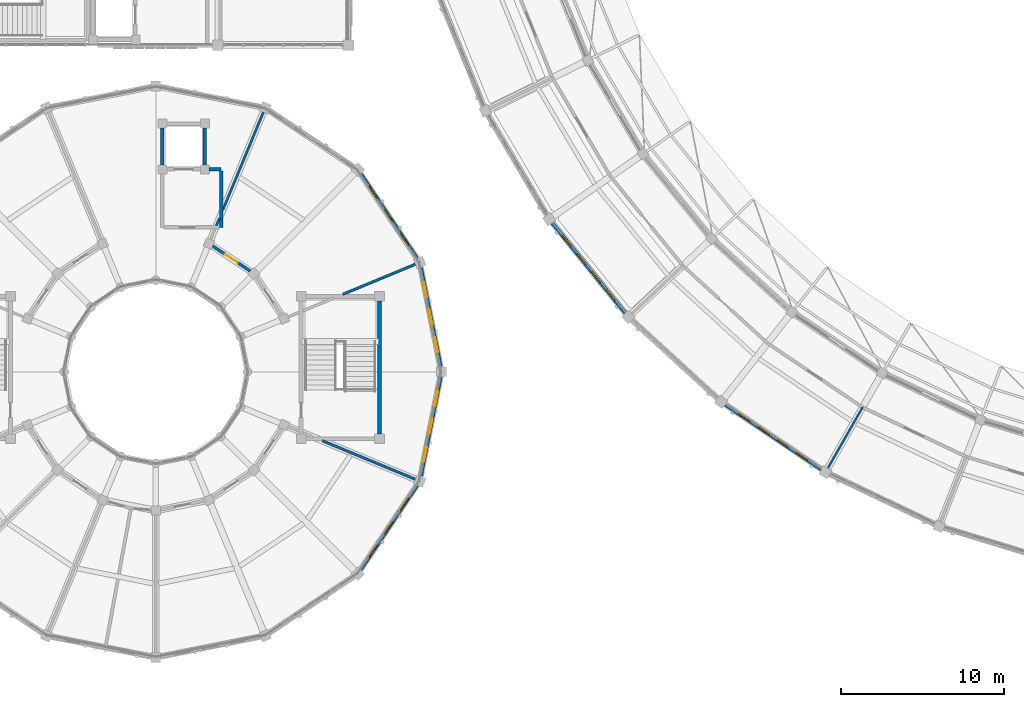
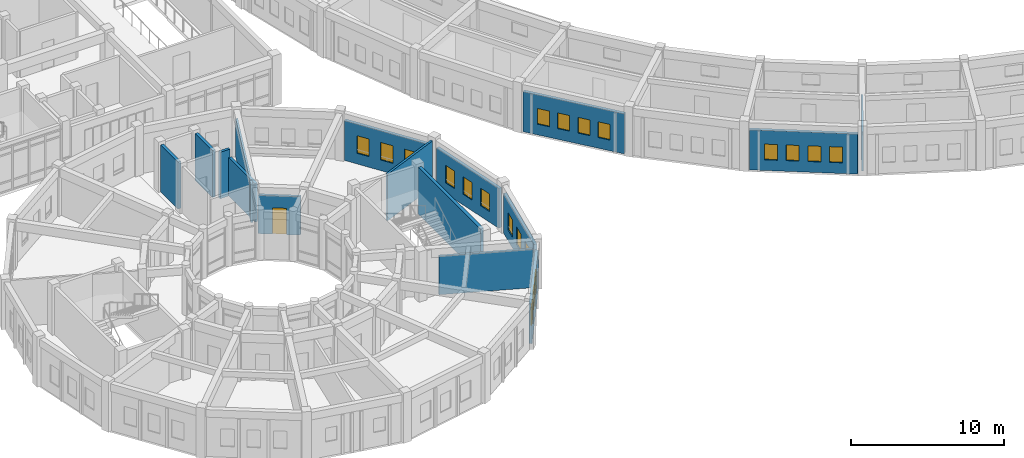
# One storey, part 75 of 112: 20 windows, 17 walls, 1 door, 21 openings.
"""IFC4 building model written with IfcOpenShell, lengths in metres."""

from ifc_helpers import new_model, si_unit, direction, frame, frame_2d, origin, place, context, subcontext, project, spatial, rectangle, extrude, material, layer, layer_set, type_object, element, fill, save


model = new_model("IFC4")

# Units and contexts
model_context = context("Model", 3, precision=1e-05, world=origin(), true_north=direction((0.0, 1.0)))
body_context = subcontext(model_context, "Body", "Model", "MODEL_VIEW")
ifc_project = project(units=[si_unit("LENGTHUNIT", "METRE"), si_unit("AREAUNIT", "SQUARE_METRE"), si_unit("VOLUMEUNIT", "CUBIC_METRE"), si_unit("PLANEANGLEUNIT", "RADIAN"), si_unit("MASSUNIT", "GRAM", prefix="KILO")], contexts=[model_context])

# Site, building, storey
site_placement = place(None, origin())
site = spatial("IfcSite", under=ifc_project, at=site_placement, CompositionType="ELEMENT")
building_placement = place(site_placement, origin())
building = spatial("IfcBuilding", under=site, at=building_placement, Name="Celadon Cloister-Ring School", CompositionType="ELEMENT")
storey_placement = place(building_placement, frame((0.0, 0.0, 8.5)))
storey = spatial("IfcBuildingStorey", under=building, at=storey_placement, Name="L02", CompositionType="ELEMENT", Elevation=8.5)

# Wall, openings, windows
ifc_material_1 = material(Name="Perforated terracotta clay brick masonry", Category="masonry")
ifc_layer_1 = layer(ifc_material_1, 0.219970703125)
ifc_layer_set_1 = layer_set([ifc_layer_1], Name="Perforated terracotta clay brick masonry")
wall_type_1 = type_object("IfcWallType", Name="WT-EX4", PredefinedType="SOLIDWALL", material=ifc_layer_set_1)
wall_1_placement = place(storey_placement, frame((48.94189453125, 23.597900390625, 0.0), z_axis=(0.0, 0.0, 1.0), x_axis=(-0.629593904529, 0.776924394893, 0.0)))
wall_1 = element("IfcWall", 1, at=wall_1_placement, inside=storey, type_object=wall_type_1, Name="Exterior Wall 0124", PredefinedType="SOLIDWALL", context=body_context, shape_type="SweptSolid", body=[
    extrude(rectangle(XDim=7.080810546875, YDim=0.219970703125, at=frame_2d((3.54052734375, 0.0))), origin(), (0.0, 0.0, 1.0), 3.19189453125),
])
opening_1_placement = place(wall_1_placement, frame((0.990966796875, 0.0, 0.85009765625)))
opening_1 = element("IfcOpeningElement", 2, at=opening_1_placement, cuts=wall_1, Name="Opening WN-11", PredefinedType="OPENING", context=body_context, shape_type="SweptSolid", body=[
    extrude(rectangle(XDim=0.85009765625, YDim=1.25, at=frame_2d((0.425048828125, 0.625))), frame((0.0, 0.1201171875, 0.0), z_axis=(0.0, -1.0, 0.0), x_axis=(1.0, 0.0, 0.0)), (0.0, 0.0, 1.0), 0.239990234375),
])
opening_2_placement = place(wall_1_placement, frame((2.406982421875, 0.0, 0.85009765625)))
opening_2 = element("IfcOpeningElement", 3, at=opening_2_placement, cuts=wall_1, Name="Opening WN-11", PredefinedType="OPENING", context=body_context, shape_type="SweptSolid", body=[
    extrude(rectangle(XDim=0.85009765625, YDim=1.25, at=frame_2d((0.425048828125, 0.625))), frame((0.0, 0.1201171875, 0.0), z_axis=(0.0, -1.0, 0.0), x_axis=(1.0, 0.0, 0.0)), (0.0, 0.0, 1.0), 0.239990234375),
])
opening_3_placement = place(wall_1_placement, frame((3.822998046875, 0.0, 0.85009765625)))
opening_3 = element("IfcOpeningElement", 4, at=opening_3_placement, cuts=wall_1, Name="Opening WN-11", PredefinedType="OPENING", context=body_context, shape_type="SweptSolid", body=[
    extrude(rectangle(XDim=0.85009765625, YDim=1.25, at=frame_2d((0.425048828125, 0.625))), frame((0.0, 0.1201171875, 0.0), z_axis=(0.0, -1.0, 0.0), x_axis=(1.0, 0.0, 0.0)), (0.0, 0.0, 1.0), 0.239990234375),
])
opening_4_placement = place(wall_1_placement, frame((5.239013671875, 0.0, 0.85009765625)))
opening_4 = element("IfcOpeningElement", 5, at=opening_4_placement, cuts=wall_1, Name="Opening WN-11", PredefinedType="OPENING", context=body_context, shape_type="SweptSolid", body=[
    extrude(rectangle(XDim=0.85009765625, YDim=1.25, at=frame_2d((0.425048828125, 0.625))), frame((0.0, 0.1201171875, 0.0), z_axis=(0.0, -1.0, 0.0), x_axis=(1.0, 0.0, 0.0)), (0.0, 0.0, 1.0), 0.239990234375),
])
ifc_material_2 = material(Name="Tempered laminated insulating glass", Category="glass")
window_type_1 = type_object("IfcWindowType", Name="WN-11", PartitioningType="SINGLE_PANEL", PredefinedType="WINDOW", material=ifc_material_2)
window_1_placement = place(opening_1_placement, origin())
window_1 = element("IfcWindow", 6, at=window_1_placement, inside=storey, type_object=window_type_1, Name="Window 0326", OverallHeight=1.25, OverallWidth=0.85009765625, PartitioningType="SINGLE_PANEL", PredefinedType="WINDOW", context=body_context, shape_type="SweptSolid", body=[
    extrude(rectangle(XDim=0.85009765625, YDim=1.25, at=frame_2d((0.425048828125, 0.625))), frame((0.0, 0.030029296875, 0.0), z_axis=(0.0, -1.0, 0.0), x_axis=(1.0, 0.0, 0.0)), (0.0, 0.0, 1.0), 0.06005859375),
])
fill(opening_1, window_1)
window_2_placement = place(opening_2_placement, origin())
window_2 = element("IfcWindow", 7, at=window_2_placement, inside=storey, type_object=window_type_1, Name="Window 0327", OverallHeight=1.25, OverallWidth=0.85009765625, PartitioningType="SINGLE_PANEL", PredefinedType="WINDOW", context=body_context, shape_type="SweptSolid", body=[
    extrude(rectangle(XDim=0.85009765625, YDim=1.25, at=frame_2d((0.425048828125, 0.625))), frame((0.0, 0.030029296875, 0.0), z_axis=(0.0, -1.0, 0.0), x_axis=(1.0, 0.0, 0.0)), (0.0, 0.0, 1.0), 0.06005859375),
])
fill(opening_2, window_2)
window_3_placement = place(opening_3_placement, origin())
window_3 = element("IfcWindow", 8, at=window_3_placement, inside=storey, type_object=window_type_1, Name="Window 0328", OverallHeight=1.25, OverallWidth=0.85009765625, PartitioningType="SINGLE_PANEL", PredefinedType="WINDOW", context=body_context, shape_type="SweptSolid", body=[
    extrude(rectangle(XDim=0.85009765625, YDim=1.25, at=frame_2d((0.425048828125, 0.625))), frame((0.0, 0.030029296875, 0.0), z_axis=(0.0, -1.0, 0.0), x_axis=(1.0, 0.0, 0.0)), (0.0, 0.0, 1.0), 0.06005859375),
])
fill(opening_3, window_3)
window_4_placement = place(opening_4_placement, origin())
window_4 = element("IfcWindow", 9, at=window_4_placement, inside=storey, type_object=window_type_1, Name="Window 0329", OverallHeight=1.25, OverallWidth=0.85009765625, PartitioningType="SINGLE_PANEL", PredefinedType="WINDOW", context=body_context, shape_type="SweptSolid", body=[
    extrude(rectangle(XDim=0.85009765625, YDim=1.25, at=frame_2d((0.425048828125, 0.625))), frame((0.0, 0.030029296875, 0.0), z_axis=(0.0, -1.0, 0.0), x_axis=(1.0, 0.0, 0.0)), (0.0, 0.0, 1.0), 0.06005859375),
])
fill(opening_4, window_4)

wall_2_placement = place(storey_placement, frame((60.949951171875, 14.02099609375, 0.0), z_axis=(0.0, 0.0, 1.0), x_axis=(-0.829217797208, 0.558925616512, 0.0)))
wall_2 = element("IfcWall", 10, at=wall_2_placement, inside=storey, type_object=wall_type_1, Name="Exterior Wall 0128", PredefinedType="SOLIDWALL", context=body_context, shape_type="SweptSolid", body=[
    extrude(rectangle(XDim=7.08154296875, YDim=0.219970703125, at=frame_2d((3.540771484375, 0.0))), origin(), (0.0, 0.0, 1.0), 3.19189453125),
])
opening_5_placement = place(wall_2_placement, frame((0.990966796875, 0.0, 0.85009765625)))
opening_5 = element("IfcOpeningElement", 11, at=opening_5_placement, cuts=wall_2, Name="Opening WN-11", PredefinedType="OPENING", context=body_context, shape_type="SweptSolid", body=[
    extrude(rectangle(XDim=0.85009765625, YDim=1.25, at=frame_2d((0.425048828125, 0.625))), frame((0.0, 0.1201171875, 0.0), z_axis=(0.0, -1.0, 0.0), x_axis=(1.0, 0.0, 0.0)), (0.0, 0.0, 1.0), 0.239990234375),
])
opening_6_placement = place(wall_2_placement, frame((2.407958984375, 0.0, 0.85009765625)))
opening_6 = element("IfcOpeningElement", 12, at=opening_6_placement, cuts=wall_2, Name="Opening WN-11", PredefinedType="OPENING", context=body_context, shape_type="SweptSolid", body=[
    extrude(rectangle(XDim=0.85009765625, YDim=1.25, at=frame_2d((0.425048828125, 0.625))), frame((0.0, 0.1201171875, 0.0), z_axis=(0.0, -1.0, 0.0), x_axis=(1.0, 0.0, 0.0)), (0.0, 0.0, 1.0), 0.239990234375),
])
opening_7_placement = place(wall_2_placement, frame((3.823974609375, 0.0, 0.85009765625)))
opening_7 = element("IfcOpeningElement", 13, at=opening_7_placement, cuts=wall_2, Name="Opening WN-11", PredefinedType="OPENING", context=body_context, shape_type="SweptSolid", body=[
    extrude(rectangle(XDim=0.85009765625, YDim=1.25, at=frame_2d((0.425048828125, 0.625))), frame((0.0, 0.1201171875, 0.0), z_axis=(0.0, -1.0, 0.0), x_axis=(1.0, 0.0, 0.0)), (0.0, 0.0, 1.0), 0.239990234375),
])
opening_8_placement = place(wall_2_placement, frame((5.239990234375, 0.0, 0.85009765625)))
opening_8 = element("IfcOpeningElement", 14, at=opening_8_placement, cuts=wall_2, Name="Opening WN-11", PredefinedType="OPENING", context=body_context, shape_type="SweptSolid", body=[
    extrude(rectangle(XDim=0.85009765625, YDim=1.25, at=frame_2d((0.425048828125, 0.625))), frame((0.0, 0.1201171875, 0.0), z_axis=(0.0, -1.0, 0.0), x_axis=(1.0, 0.0, 0.0)), (0.0, 0.0, 1.0), 0.239990234375),
])
window_5_placement = place(opening_5_placement, origin())
window_5 = element("IfcWindow", 15, at=window_5_placement, inside=storey, type_object=window_type_1, Name="Window 0336", OverallHeight=1.25, OverallWidth=0.85009765625, PartitioningType="SINGLE_PANEL", PredefinedType="WINDOW", context=body_context, shape_type="SweptSolid", body=[
    extrude(rectangle(XDim=0.85009765625, YDim=1.25, at=frame_2d((0.425048828125, 0.625))), frame((0.0, 0.030029296875, 0.0), z_axis=(0.0, -1.0, 0.0), x_axis=(1.0, 0.0, 0.0)), (0.0, 0.0, 1.0), 0.06005859375),
])
fill(opening_5, window_5)
window_6_placement = place(opening_6_placement, origin())
window_6 = element("IfcWindow", 16, at=window_6_placement, inside=storey, type_object=window_type_1, Name="Window 0337", OverallHeight=1.25, OverallWidth=0.85009765625, PartitioningType="SINGLE_PANEL", PredefinedType="WINDOW", context=body_context, shape_type="SweptSolid", body=[
    extrude(rectangle(XDim=0.85009765625, YDim=1.25, at=frame_2d((0.425048828125, 0.625))), frame((0.0, 0.030029296875, 0.0), z_axis=(0.0, -1.0, 0.0), x_axis=(1.0, 0.0, 0.0)), (0.0, 0.0, 1.0), 0.06005859375),
])
fill(opening_6, window_6)
window_7_placement = place(opening_7_placement, origin())
window_7 = element("IfcWindow", 17, at=window_7_placement, inside=storey, type_object=window_type_1, Name="Window 0338", OverallHeight=1.25, OverallWidth=0.85009765625, PartitioningType="SINGLE_PANEL", PredefinedType="WINDOW", context=body_context, shape_type="SweptSolid", body=[
    extrude(rectangle(XDim=0.85009765625, YDim=1.25, at=frame_2d((0.425048828125, 0.625))), frame((0.0, 0.030029296875, 0.0), z_axis=(0.0, -1.0, 0.0), x_axis=(1.0, 0.0, 0.0)), (0.0, 0.0, 1.0), 0.06005859375),
])
fill(opening_7, window_7)
window_8_placement = place(opening_8_placement, origin())
window_8 = element("IfcWindow", 18, at=window_8_placement, inside=storey, type_object=window_type_1, Name="Window 0339", OverallHeight=1.25, OverallWidth=0.85009765625, PartitioningType="SINGLE_PANEL", PredefinedType="WINDOW", context=body_context, shape_type="SweptSolid", body=[
    extrude(rectangle(XDim=0.85009765625, YDim=1.25, at=frame_2d((0.425048828125, 0.625))), frame((0.0, 0.030029296875, 0.0), z_axis=(0.0, -1.0, 0.0), x_axis=(1.0, 0.0, 0.0)), (0.0, 0.0, 1.0), 0.06005859375),
])
fill(opening_8, window_8)

wall_3_placement = place(storey_placement, frame((36.431884765625, 26.3740234375, 0.0), z_axis=(0.0, 0.0, 1.0), x_axis=(0.195164813773, -0.980770460131, 0.0)))
wall_3 = element("IfcWall", 19, at=wall_3_placement, inside=storey, type_object=wall_type_1, Name="Exterior Wall 0331", PredefinedType="SOLIDWALL", context=body_context, shape_type="SweptSolid", body=[
    extrude(rectangle(XDim=6.169677734375, YDim=0.219970703125, at=frame_2d((3.0849609375, 0.0))), origin(), (0.0, 0.0, 1.0), 3.172119140625),
])
opening_9_placement = place(wall_3_placement, frame((0.906982421875, 0.0, 0.85009765625)))
opening_9 = element("IfcOpeningElement", 20, at=opening_9_placement, cuts=wall_3, Name="Opening WN-21", PredefinedType="OPENING", context=body_context, shape_type="SweptSolid", body=[
    extrude(rectangle(XDim=0.89990234375, YDim=1.39990234375, at=frame_2d((0.449951171875, 0.699951171875))), frame((0.0, 0.1201171875, 0.0), z_axis=(0.0, -1.0, 0.0), x_axis=(1.0, 0.0, 0.0)), (0.0, 0.0, 1.0), 0.239990234375),
])
opening_10_placement = place(wall_3_placement, frame((2.635009765625, 0.0, 0.85009765625)))
opening_10 = element("IfcOpeningElement", 21, at=opening_10_placement, cuts=wall_3, Name="Opening WN-21", PredefinedType="OPENING", context=body_context, shape_type="SweptSolid", body=[
    extrude(rectangle(XDim=0.89990234375, YDim=1.39990234375, at=frame_2d((0.449951171875, 0.699951171875))), frame((0.0, 0.1201171875, 0.0), z_axis=(0.0, -1.0, 0.0), x_axis=(1.0, 0.0, 0.0)), (0.0, 0.0, 1.0), 0.239990234375),
])
opening_11_placement = place(wall_3_placement, frame((4.362060546875, 0.0, 0.85009765625)))
opening_11 = element("IfcOpeningElement", 22, at=opening_11_placement, cuts=wall_3, Name="Opening WN-21", PredefinedType="OPENING", context=body_context, shape_type="SweptSolid", body=[
    extrude(rectangle(XDim=0.89990234375, YDim=1.39990234375, at=frame_2d((0.449951171875, 0.699951171875))), frame((0.0, 0.1201171875, 0.0), z_axis=(0.0, -1.0, 0.0), x_axis=(1.0, 0.0, 0.0)), (0.0, 0.0, 1.0), 0.239990234375),
])
ifc_material_3 = material(Name="Tempered laminated insulating glass", Category="glass")
window_type_2 = type_object("IfcWindowType", Name="WN-21", PartitioningType="SINGLE_PANEL", PredefinedType="WINDOW", material=ifc_material_3)
window_9_placement = place(opening_9_placement, origin())
window_9 = element("IfcWindow", 23, at=window_9_placement, inside=storey, type_object=window_type_2, Name="Window 0851", OverallHeight=1.39990234375, OverallWidth=0.89990234375, PartitioningType="SINGLE_PANEL", PredefinedType="WINDOW", context=body_context, shape_type="SweptSolid", body=[
    extrude(rectangle(XDim=0.89990234375, YDim=1.39990234375, at=frame_2d((0.449951171875, 0.699951171875))), frame((0.0, 0.030029296875, 0.0), z_axis=(0.0, -1.0, 0.0), x_axis=(1.0, 0.0, 0.0)), (0.0, 0.0, 1.0), 0.06005859375),
])
fill(opening_9, window_9)
window_10_placement = place(opening_10_placement, origin())
window_10 = element("IfcWindow", 24, at=window_10_placement, inside=storey, type_object=window_type_2, Name="Window 0852", OverallHeight=1.39990234375, OverallWidth=0.89990234375, PartitioningType="SINGLE_PANEL", PredefinedType="WINDOW", context=body_context, shape_type="SweptSolid", body=[
    extrude(rectangle(XDim=0.89990234375, YDim=1.39990234375, at=frame_2d((0.449951171875, 0.699951171875))), frame((0.0, 0.030029296875, 0.0), z_axis=(0.0, -1.0, 0.0), x_axis=(1.0, 0.0, 0.0)), (0.0, 0.0, 1.0), 0.06005859375),
])
fill(opening_10, window_10)
window_11_placement = place(opening_11_placement, origin())
window_11 = element("IfcWindow", 25, at=window_11_placement, inside=storey, type_object=window_type_2, Name="Window 0853", OverallHeight=1.39990234375, OverallWidth=0.89990234375, PartitioningType="SINGLE_PANEL", PredefinedType="WINDOW", context=body_context, shape_type="SweptSolid", body=[
    extrude(rectangle(XDim=0.89990234375, YDim=1.39990234375, at=frame_2d((0.449951171875, 0.699951171875))), frame((0.0, 0.030029296875, 0.0), z_axis=(0.0, -1.0, 0.0), x_axis=(1.0, 0.0, 0.0)), (0.0, 0.0, 1.0), 0.06005859375),
])
fill(opening_11, window_11)

wall_4_placement = place(storey_placement, frame((32.757080078125, 32.10009765625, 0.0), z_axis=(0.0, 0.0, 1.0), x_axis=(0.555658736667, -0.831410469242, 0.0)))
wall_4 = element("IfcWall", 26, at=wall_4_placement, inside=storey, type_object=wall_type_1, Name="Exterior Wall 0332", PredefinedType="SOLIDWALL", context=body_context, shape_type="SweptSolid", body=[
    extrude(rectangle(XDim=6.169189453125, YDim=0.219970703125, at=frame_2d((3.08447265625, 0.0))), origin(), (0.0, 0.0, 1.0), 3.172119140625),
])
opening_12_placement = place(wall_4_placement, frame((0.906982421875, 0.0, 0.85009765625)))
opening_12 = element("IfcOpeningElement", 27, at=opening_12_placement, cuts=wall_4, Name="Opening WN-21", PredefinedType="OPENING", context=body_context, shape_type="SweptSolid", body=[
    extrude(rectangle(XDim=0.89990234375, YDim=1.39990234375, at=frame_2d((0.449951171875, 0.699951171875))), frame((0.0, 0.1201171875, 0.0), z_axis=(0.0, -1.0, 0.0), x_axis=(1.0, 0.0, 0.0)), (0.0, 0.0, 1.0), 0.239990234375),
])
opening_13_placement = place(wall_4_placement, frame((2.635009765625, 0.0, 0.85009765625)))
opening_13 = element("IfcOpeningElement", 28, at=opening_13_placement, cuts=wall_4, Name="Opening WN-21", PredefinedType="OPENING", context=body_context, shape_type="SweptSolid", body=[
    extrude(rectangle(XDim=0.89990234375, YDim=1.39990234375, at=frame_2d((0.449951171875, 0.699951171875))), frame((0.0, 0.1201171875, 0.0), z_axis=(0.0, -1.0, 0.0), x_axis=(1.0, 0.0, 0.0)), (0.0, 0.0, 1.0), 0.239990234375),
])
opening_14_placement = place(wall_4_placement, frame((4.362060546875, 0.0, 0.85009765625)))
opening_14 = element("IfcOpeningElement", 29, at=opening_14_placement, cuts=wall_4, Name="Opening WN-21", PredefinedType="OPENING", context=body_context, shape_type="SweptSolid", body=[
    extrude(rectangle(XDim=0.89990234375, YDim=1.39990234375, at=frame_2d((0.449951171875, 0.699951171875))), frame((0.0, 0.1201171875, 0.0), z_axis=(0.0, -1.0, 0.0), x_axis=(1.0, 0.0, 0.0)), (0.0, 0.0, 1.0), 0.239990234375),
])
window_12_placement = place(opening_12_placement, origin())
window_12 = element("IfcWindow", 30, at=window_12_placement, inside=storey, type_object=window_type_2, Name="Window 0854", OverallHeight=1.39990234375, OverallWidth=0.89990234375, PartitioningType="SINGLE_PANEL", PredefinedType="WINDOW", context=body_context, shape_type="SweptSolid", body=[
    extrude(rectangle(XDim=0.89990234375, YDim=1.39990234375, at=frame_2d((0.449951171875, 0.699951171875))), frame((0.0, 0.030029296875, 0.0), z_axis=(0.0, -1.0, 0.0), x_axis=(1.0, 0.0, 0.0)), (0.0, 0.0, 1.0), 0.06005859375),
])
fill(opening_12, window_12)
window_13_placement = place(opening_13_placement, origin())
window_13 = element("IfcWindow", 31, at=window_13_placement, inside=storey, type_object=window_type_2, Name="Window 0855", OverallHeight=1.39990234375, OverallWidth=0.89990234375, PartitioningType="SINGLE_PANEL", PredefinedType="WINDOW", context=body_context, shape_type="SweptSolid", body=[
    extrude(rectangle(XDim=0.89990234375, YDim=1.39990234375, at=frame_2d((0.449951171875, 0.699951171875))), frame((0.0, 0.030029296875, 0.0), z_axis=(0.0, -1.0, 0.0), x_axis=(1.0, 0.0, 0.0)), (0.0, 0.0, 1.0), 0.06005859375),
])
fill(opening_13, window_13)
window_14_placement = place(opening_14_placement, origin())
window_14 = element("IfcWindow", 32, at=window_14_placement, inside=storey, type_object=window_type_2, Name="Window 0856", OverallHeight=1.39990234375, OverallWidth=0.89990234375, PartitioningType="SINGLE_PANEL", PredefinedType="WINDOW", context=body_context, shape_type="SweptSolid", body=[
    extrude(rectangle(XDim=0.89990234375, YDim=1.39990234375, at=frame_2d((0.449951171875, 0.699951171875))), frame((0.0, 0.030029296875, 0.0), z_axis=(0.0, -1.0, 0.0), x_axis=(1.0, 0.0, 0.0)), (0.0, 0.0, 1.0), 0.06005859375),
])
fill(opening_14, window_14)

wall_5_placement = place(storey_placement, frame((36.18505859375, 13.029052734375, 0.0), z_axis=(0.0, 0.0, 1.0), x_axis=(-0.555658736667, -0.831410469242, 0.0)))
wall_5 = element("IfcWall", 33, at=wall_5_placement, inside=storey, type_object=wall_type_1, Name="Exterior Wall 0348", PredefinedType="SOLIDWALL", context=body_context, shape_type="SweptSolid", body=[
    extrude(rectangle(XDim=6.169189453125, YDim=0.219970703125, at=frame_2d((3.08447265625, 0.0))), origin(), (0.0, 0.0, 1.0), 3.172119140625),
])
opening_15_placement = place(wall_5_placement, frame((0.906982421875, 0.0, 0.85009765625)))
opening_15 = element("IfcOpeningElement", 34, at=opening_15_placement, cuts=wall_5, Name="Opening WN-21", PredefinedType="OPENING", context=body_context, shape_type="SweptSolid", body=[
    extrude(rectangle(XDim=0.89990234375, YDim=1.39990234375, at=frame_2d((0.449951171875, 0.699951171875))), frame((0.0, 0.1201171875, 0.0), z_axis=(0.0, -1.0, 0.0), x_axis=(1.0, 0.0, 0.0)), (0.0, 0.0, 1.0), 0.239990234375),
])
opening_16_placement = place(wall_5_placement, frame((2.635009765625, 0.0, 0.85009765625)))
opening_16 = element("IfcOpeningElement", 35, at=opening_16_placement, cuts=wall_5, Name="Opening WN-21", PredefinedType="OPENING", context=body_context, shape_type="SweptSolid", body=[
    extrude(rectangle(XDim=0.89990234375, YDim=1.39990234375, at=frame_2d((0.449951171875, 0.699951171875))), frame((0.0, 0.1201171875, 0.0), z_axis=(0.0, -1.0, 0.0), x_axis=(1.0, 0.0, 0.0)), (0.0, 0.0, 1.0), 0.239990234375),
])
opening_17_placement = place(wall_5_placement, frame((4.362060546875, 0.0, 0.85009765625)))
opening_17 = element("IfcOpeningElement", 36, at=opening_17_placement, cuts=wall_5, Name="Opening WN-21", PredefinedType="OPENING", context=body_context, shape_type="SweptSolid", body=[
    extrude(rectangle(XDim=0.89990234375, YDim=1.39990234375, at=frame_2d((0.449951171875, 0.699951171875))), frame((0.0, 0.1201171875, 0.0), z_axis=(0.0, -1.0, 0.0), x_axis=(1.0, 0.0, 0.0)), (0.0, 0.0, 1.0), 0.239990234375),
])
window_15_placement = place(opening_15_placement, origin())
window_15 = element("IfcWindow", 37, at=window_15_placement, inside=storey, type_object=window_type_2, Name="Window 0892", OverallHeight=1.39990234375, OverallWidth=0.89990234375, PartitioningType="SINGLE_PANEL", PredefinedType="WINDOW", context=body_context, shape_type="SweptSolid", body=[
    extrude(rectangle(XDim=0.89990234375, YDim=1.39990234375, at=frame_2d((0.449951171875, 0.699951171875))), frame((0.0, 0.030029296875, 0.0), z_axis=(0.0, -1.0, 0.0), x_axis=(1.0, 0.0, 0.0)), (0.0, 0.0, 1.0), 0.06005859375),
])
fill(opening_15, window_15)
window_16_placement = place(opening_16_placement, origin())
window_16 = element("IfcWindow", 38, at=window_16_placement, inside=storey, type_object=window_type_2, Name="Window 0893", OverallHeight=1.39990234375, OverallWidth=0.89990234375, PartitioningType="SINGLE_PANEL", PredefinedType="WINDOW", context=body_context, shape_type="SweptSolid", body=[
    extrude(rectangle(XDim=0.89990234375, YDim=1.39990234375, at=frame_2d((0.449951171875, 0.699951171875))), frame((0.0, 0.030029296875, 0.0), z_axis=(0.0, -1.0, 0.0), x_axis=(1.0, 0.0, 0.0)), (0.0, 0.0, 1.0), 0.06005859375),
])
fill(opening_16, window_16)
window_17_placement = place(opening_17_placement, origin())
window_17 = element("IfcWindow", 39, at=window_17_placement, inside=storey, type_object=window_type_2, Name="Window 0894", OverallHeight=1.39990234375, OverallWidth=0.89990234375, PartitioningType="SINGLE_PANEL", PredefinedType="WINDOW", context=body_context, shape_type="SweptSolid", body=[
    extrude(rectangle(XDim=0.89990234375, YDim=1.39990234375, at=frame_2d((0.449951171875, 0.699951171875))), frame((0.0, 0.030029296875, 0.0), z_axis=(0.0, -1.0, 0.0), x_axis=(1.0, 0.0, 0.0)), (0.0, 0.0, 1.0), 0.06005859375),
])
fill(opening_17, window_17)

wall_6_placement = place(storey_placement, frame((37.635986328125, 19.677001953125, 0.0), z_axis=(0.0, 0.0, 1.0), x_axis=(-0.195164813773, -0.980770460131, 0.0)))
wall_6 = element("IfcWall", 40, at=wall_6_placement, inside=storey, type_object=wall_type_1, Name="Exterior Wall 0350", PredefinedType="SOLIDWALL", context=body_context, shape_type="SweptSolid", body=[
    extrude(rectangle(XDim=6.169677734375, YDim=0.219970703125, at=frame_2d((3.0849609375, 0.0))), origin(), (0.0, 0.0, 1.0), 3.172119140625),
])
opening_18_placement = place(wall_6_placement, frame((0.906982421875, 0.0, 0.85009765625)))
opening_18 = element("IfcOpeningElement", 41, at=opening_18_placement, cuts=wall_6, Name="Opening WN-21", PredefinedType="OPENING", context=body_context, shape_type="SweptSolid", body=[
    extrude(rectangle(XDim=0.89990234375, YDim=1.39990234375, at=frame_2d((0.449951171875, 0.699951171875))), frame((0.0, 0.1201171875, 0.0), z_axis=(0.0, -1.0, 0.0), x_axis=(1.0, 0.0, 0.0)), (0.0, 0.0, 1.0), 0.239990234375),
])
opening_19_placement = place(wall_6_placement, frame((2.635009765625, 0.0, 0.85009765625)))
opening_19 = element("IfcOpeningElement", 42, at=opening_19_placement, cuts=wall_6, Name="Opening WN-21", PredefinedType="OPENING", context=body_context, shape_type="SweptSolid", body=[
    extrude(rectangle(XDim=0.89990234375, YDim=1.39990234375, at=frame_2d((0.449951171875, 0.699951171875))), frame((0.0, 0.1201171875, 0.0), z_axis=(0.0, -1.0, 0.0), x_axis=(1.0, 0.0, 0.0)), (0.0, 0.0, 1.0), 0.239990234375),
])
opening_20_placement = place(wall_6_placement, frame((4.362060546875, 0.0, 0.85009765625)))
opening_20 = element("IfcOpeningElement", 43, at=opening_20_placement, cuts=wall_6, Name="Opening WN-21", PredefinedType="OPENING", context=body_context, shape_type="SweptSolid", body=[
    extrude(rectangle(XDim=0.89990234375, YDim=1.39990234375, at=frame_2d((0.449951171875, 0.699951171875))), frame((0.0, 0.1201171875, 0.0), z_axis=(0.0, -1.0, 0.0), x_axis=(1.0, 0.0, 0.0)), (0.0, 0.0, 1.0), 0.239990234375),
])
window_18_placement = place(opening_18_placement, origin())
window_18 = element("IfcWindow", 44, at=window_18_placement, inside=storey, type_object=window_type_2, Name="Window 0895", OverallHeight=1.39990234375, OverallWidth=0.89990234375, PartitioningType="SINGLE_PANEL", PredefinedType="WINDOW", context=body_context, shape_type="SweptSolid", body=[
    extrude(rectangle(XDim=0.89990234375, YDim=1.39990234375, at=frame_2d((0.449951171875, 0.699951171875))), frame((0.0, 0.030029296875, 0.0), z_axis=(0.0, -1.0, 0.0), x_axis=(1.0, 0.0, 0.0)), (0.0, 0.0, 1.0), 0.06005859375),
])
fill(opening_18, window_18)
window_19_placement = place(opening_19_placement, origin())
window_19 = element("IfcWindow", 45, at=window_19_placement, inside=storey, type_object=window_type_2, Name="Window 0896", OverallHeight=1.39990234375, OverallWidth=0.89990234375, PartitioningType="SINGLE_PANEL", PredefinedType="WINDOW", context=body_context, shape_type="SweptSolid", body=[
    extrude(rectangle(XDim=0.89990234375, YDim=1.39990234375, at=frame_2d((0.449951171875, 0.699951171875))), frame((0.0, 0.030029296875, 0.0), z_axis=(0.0, -1.0, 0.0), x_axis=(1.0, 0.0, 0.0)), (0.0, 0.0, 1.0), 0.06005859375),
])
fill(opening_19, window_19)
window_20_placement = place(opening_20_placement, origin())
window_20 = element("IfcWindow", 46, at=window_20_placement, inside=storey, type_object=window_type_2, Name="Window 0897", OverallHeight=1.39990234375, OverallWidth=0.89990234375, PartitioningType="SINGLE_PANEL", PredefinedType="WINDOW", context=body_context, shape_type="SweptSolid", body=[
    extrude(rectangle(XDim=0.89990234375, YDim=1.39990234375, at=frame_2d((0.449951171875, 0.699951171875))), frame((0.0, 0.030029296875, 0.0), z_axis=(0.0, -1.0, 0.0), x_axis=(1.0, 0.0, 0.0)), (0.0, 0.0, 1.0), 0.06005859375),
])
fill(opening_20, window_20)

# Walls
ifc_material_4 = material(Name="Plastered hollow concrete masonry", Category="masonry")
ifc_layer_2 = layer(ifc_material_4, 0.199951171875)
ifc_layer_set_2 = layer_set([ifc_layer_2], Name="Plastered hollow concrete masonry")
wall_type_2 = type_object("IfcWallType", Name="WT-PT1", PredefinedType="PARTITIONING", material=ifc_layer_set_2)
wall_7_placement = place(storey_placement, frame((23.467041015625, 32.39990234375, 0.0), z_axis=(0.0, 0.0, 1.0), x_axis=(1.0, 0.0, 0.0)))
element("IfcWall", 47, at=wall_7_placement, inside=storey, type_object=wall_type_2, Name="Interior Wall 0387", PredefinedType="PARTITIONING", context=body_context, shape_type="SweptSolid", body=[
    extrude(rectangle(XDim=0.73291015625, YDim=0.199951171875, at=frame_2d((0.366455078125, 0.0))), origin(), (0.0, 0.0, 1.0), 3.699951171875),
])
wall_8_placement = place(storey_placement, frame((24.199951171875, 28.85009765625, 0.0), z_axis=(0.0, 0.0, 1.0), x_axis=(0.0, 1.0, 0.0)))
element("IfcWall", 48, at=wall_8_placement, inside=storey, type_object=wall_type_2, Name="Interior Wall 0389", PredefinedType="PARTITIONING", context=body_context, shape_type="SweptSolid", body=[
    extrude(rectangle(XDim=3.447021484375, YDim=0.199951171875, at=frame_2d((1.7236328125, 0.0))), origin(), (0.0, 0.0, 1.0), 3.072021484375),
])

# Wall, opening, door
ifc_material_5 = material(Name="Plastered hollow concrete masonry", Category="masonry")
ifc_layer_3 = layer(ifc_material_5, 0.179931640625)
ifc_layer_set_3 = layer_set([ifc_layer_3], Name="Plastered hollow concrete masonry")
wall_type_3 = type_object("IfcWallType", Name="WT-PT2", PredefinedType="PARTITIONING", material=ifc_layer_set_3)
wall_9_placement = place(storey_placement, frame((25.98388671875, 26.160888671875, 0.0), z_axis=(0.0, 0.0, 1.0), x_axis=(-0.831318045056, 0.555797002478, 0.0)))
wall_9 = element("IfcWall", 49, at=wall_9_placement, inside=storey, type_object=wall_type_3, Name="Interior Wall 0837", PredefinedType="PARTITIONING", context=body_context, shape_type="SweptSolid", body=[
    extrude(rectangle(XDim=2.772705078125, YDim=0.179931640625, at=frame_2d((1.38623046875, 0.0))), origin(), (0.0, 0.0, 1.0), 3.072021484375),
])
opening_21_placement = place(wall_9_placement, frame((0.926025390625, 0.0, 0.0)))
opening_21 = element("IfcOpeningElement", 50, at=opening_21_placement, cuts=wall_9, Name="Opening D-0301", PredefinedType="OPENING", context=body_context, shape_type="SweptSolid", body=[
    extrude(rectangle(XDim=0.919921875, YDim=2.10009765625, at=frame_2d((0.4599609375, 1.050048828125))), frame((0.0, 0.10009765625, 0.0), z_axis=(0.0, -1.0, 0.0), x_axis=(1.0, 0.0, 0.0)), (0.0, 0.0, 1.0), 0.199951171875),
])
ifc_material_6 = material(Name="Solid-core fire-rated hardwood leaf", Category="wood")
door_type = type_object("IfcDoorType", Name="DT-02", OperationType="NOTDEFINED", PredefinedType="DOOR", material=ifc_material_6)
door_placement = place(opening_21_placement, origin())
door = element("IfcDoor", 51, at=door_placement, inside=storey, type_object=door_type, Name="Door D-0301", OperationType="SINGLE_SWING_LEFT", OverallHeight=2.10009765625, OverallWidth=0.919921875, PredefinedType="DOOR", context=body_context, shape_type="SweptSolid", body=[
    extrude(rectangle(XDim=0.919921875, YDim=2.10009765625, at=frame_2d((0.4599609375, 1.050048828125))), frame((0.0, 0.02490234375, 0.0), z_axis=(0.0, -1.0, 0.0), x_axis=(1.0, 0.0, 0.0)), (0.0, 0.0, 1.0), 0.050048828125),
])
fill(opening_21, door)

# Walls
ifc_material_7 = material(Name="Plastered hollow concrete masonry", Category="masonry")
ifc_layer_4 = layer(ifc_material_7, 0.159912109375)
ifc_layer_set_4 = layer_set([ifc_layer_4], Name="Plastered hollow concrete masonry")
wall_type_4 = type_object("IfcWallType", Name="WT-PT3", PredefinedType="PARTITIONING", material=ifc_layer_set_4)
wall_10_placement = place(storey_placement, frame((31.65087890625, 24.742919921875, 0.0), z_axis=(0.0, 0.0, 1.0), x_axis=(0.923877739946, 0.382687759972, 0.0)))
element("IfcWall", 52, at=wall_10_placement, inside=storey, type_object=wall_type_4, Name="Interior Wall 0818", PredefinedType="PARTITIONING", context=body_context, shape_type="SweptSolid", body=[
    extrude(rectangle(XDim=4.8134765625, YDim=0.159912109375, at=frame_2d((2.40673828125, 0.0))), origin(), (0.0, 0.0, 1.0), 3.699951171875),
])
wall_11_placement = place(storey_placement, frame((30.39599609375, 15.777099609375, 0.0), z_axis=(0.0, 0.0, 1.0), x_axis=(0.923864955254, -0.382718623082, 0.0)))
element("IfcWall", 53, at=wall_11_placement, inside=storey, type_object=wall_type_4, Name="Interior Wall 0834", PredefinedType="PARTITIONING", context=body_context, shape_type="SweptSolid", body=[
    extrude(rectangle(XDim=6.171875, YDim=0.159912109375, at=frame_2d((3.0859375, 0.0))), origin(), (0.0, 0.0, 1.0), 3.072021484375),
])
ifc_material_8 = material(Name="Acoustic mineral-wool drywall partition")
ifc_layer_5 = layer(ifc_material_8, 0.139892578125)
ifc_layer_set_5 = layer_set([ifc_layer_5], Name="Acoustic mineral-wool drywall partition")
wall_type_5 = type_object("IfcWallType", Name="WT-PT4", PredefinedType="PARTITIONING", material=ifc_layer_set_5)
wall_12_placement = place(storey_placement, frame((23.907958984375, 28.952880859375, 0.0), z_axis=(0.0, 0.0, 1.0), x_axis=(0.3827885685, 0.92383597669, 0.0)))
element("IfcWall", 54, at=wall_12_placement, inside=storey, type_object=wall_type_5, Name="Interior Wall 0820", PredefinedType="PARTITIONING", context=body_context, shape_type="SweptSolid", body=[
    extrude(rectangle(XDim=0.49365234375, YDim=0.139892578125, at=frame_2d((0.246826171875, 0.0))), origin(), (0.0, 0.0, 1.0), 3.072021484375),
])
wall_13_placement = place(storey_placement, frame((24.302978515625, 29.906005859375, 0.0), z_axis=(0.0, 0.0, 1.0), x_axis=(0.382682035927, 0.923880110934, 0.0)))
element("IfcWall", 55, at=wall_13_placement, inside=storey, type_object=wall_type_5, Name="Interior Wall 0821", PredefinedType="PARTITIONING", context=body_context, shape_type="SweptSolid", body=[
    extrude(rectangle(XDim=6.485595703125, YDim=0.139892578125, at=frame_2d((3.24267578125, 0.0))), origin(), (0.0, 0.0, 1.0), 3.072021484375),
])
ifc_material_9 = material(Name="Acoustic mineral-wool drywall partition")
ifc_layer_6 = layer(ifc_material_9, 0.1201171875)
ifc_layer_set_6 = layer_set([ifc_layer_6], Name="Acoustic mineral-wool drywall partition")
wall_type_6 = type_object("IfcWallType", Name="WT-PT5", PredefinedType="PARTITIONING", material=ifc_layer_set_6)
wall_14_placement = place(storey_placement, frame((63.47900390625, 17.823974609375, 0.0), z_axis=(0.0, 0.0, 1.0), x_axis=(-0.495893608829, -0.868383284456, 0.0)))
element("IfcWall", 56, at=wall_14_placement, inside=storey, type_object=wall_type_6, Name="Interior Wall 0544", PredefinedType="PARTITIONING", context=body_context, shape_type="SweptSolid", body=[
    extrude(rectangle(XDim=4.287109375, YDim=0.1201171875, at=frame_2d((2.1435546875, 0.0))), origin(), (0.0, 0.0, 1.0), 3.092041015625),
])
ifc_material_10 = material(Name="Concrete C40/50", Category="concrete")
ifc_layer_7 = layer(ifc_material_10, 0.239990234375)
ifc_layer_set_7 = layer_set([ifc_layer_7], Name="Concrete C40/50")
wall_type_7 = type_object("IfcWallType", Name="WT-SH1", PredefinedType="SHEAR", material=ifc_layer_set_7)
wall_15_placement = place(storey_placement, frame((33.89990234375, 24.327880859375, 0.0), z_axis=(0.0, 0.0, 1.0), x_axis=(0.0, -1.0, 0.0)))
element("IfcWall", 57, at=wall_15_placement, inside=storey, type_object=wall_type_7, Name="Interior Wall 0074", PredefinedType="SHEAR", context=body_context, shape_type="SweptSolid", body=[
    extrude(rectangle(XDim=8.135986328125, YDim=0.239990234375, at=frame_2d((4.06787109375, 0.0))), origin(), (0.0, 0.0, 1.0), 3.739990234375),
])
ifc_material_11 = material(Name="Concrete C40/50", Category="concrete")
ifc_layer_8 = layer(ifc_material_11, 0.219970703125)
ifc_layer_set_8 = layer_set([ifc_layer_8], Name="Concrete C40/50")
wall_type_8 = type_object("IfcWallType", Name="WT-SH2", PredefinedType="SHEAR", material=ifc_layer_set_8)
for number, where, z_axis, x_axis, name in (
    (58, (23.199951171875, 32.6669921875, 0.0), (0.0, 0.0, 1.0), (0.0, 1.0, 0.0), "Interior Wall 0384"),
    (59, (20.60009765625, 34.93310546875, 0.0), (0.0, 0.0, 1.0), (0.0, -1.0, 0.0), "Interior Wall 0386"),
):
    element("IfcWall", number, at=place(storey_placement, frame(where, z_axis=z_axis, x_axis=x_axis)), inside=storey, type_object=wall_type_8, Name=name, PredefinedType="SHEAR", context=body_context, shape_type="SweptSolid", body=[
        extrude(rectangle(XDim=2.26611328125, YDim=0.219970703125, at=frame_2d((1.133056640625, 0.0))), origin(), (0.0, 0.0, 1.0), 3.739990234375),
    ])

save(model, "model.ifc")
